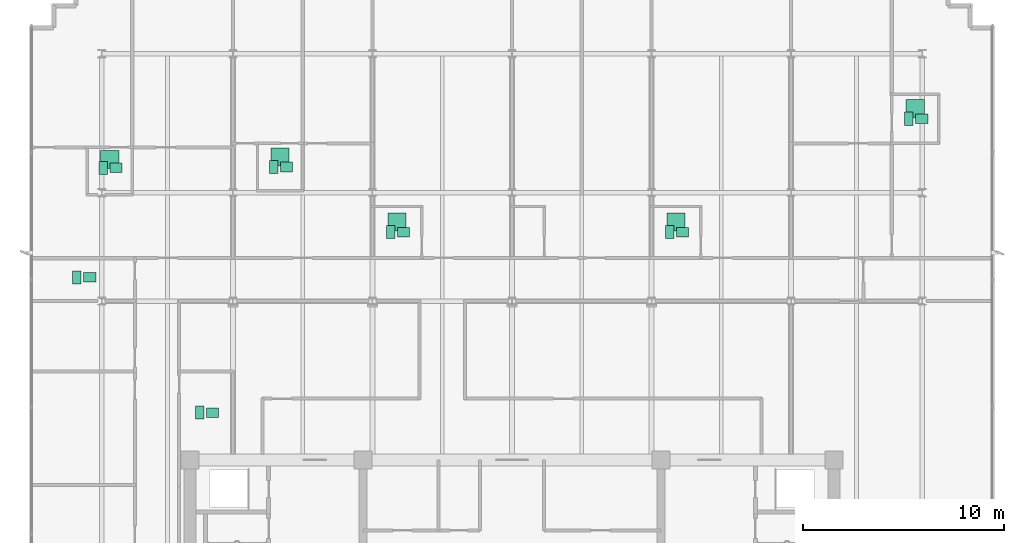
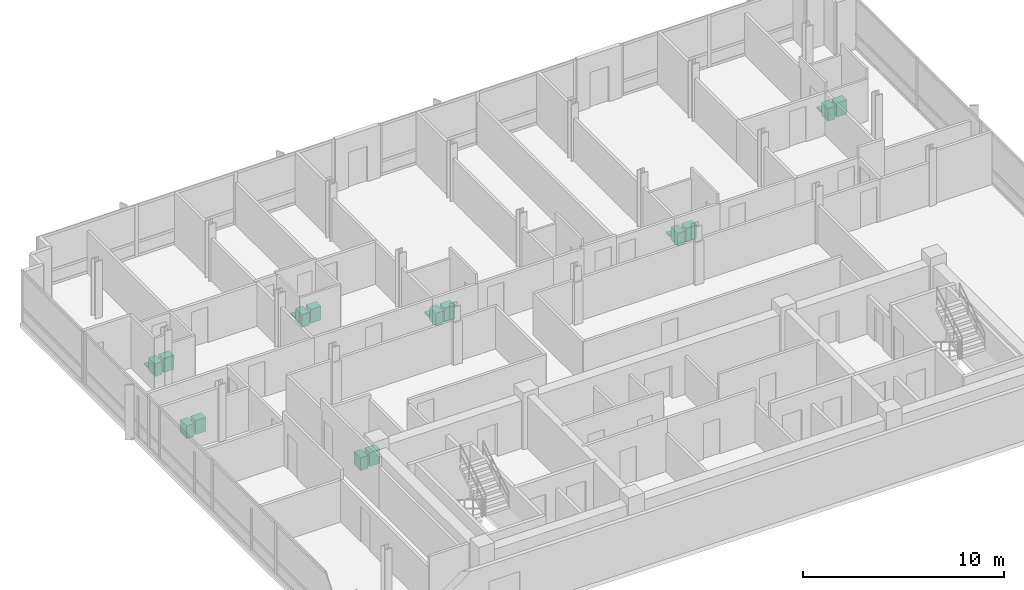
# One storey, part 14 of 14: 19 sanitary terminals.
"""IFC4 building model written with IfcOpenShell, lengths in metres."""

import ifcopenshell
import ifcopenshell.guid

model = None  # the IFC model being written
_history = None  # IfcOwnerHistory: only IFC2X3 demands one
_inside = {}  # id of a spatial element -> (the spatial element, [elements in it])
_under = {}  # id of a project, library or spatial element -> (it, [spatial elements below it])
_declared = {}  # id of a project -> (the project, [libraries it declares])
_typed = {}  # id of a type object -> (the type object, [elements of that type])
_made_of = {}  # id of a material, layer set ... -> (it, [elements and type objects made of it])


def new_model(schema):
    """Start an empty IFC model of exactly this schema.

    Asked for "IFC4X3", IfcOpenShell would pick the latest addendum, in which some entities
    have other attributes; the version numbers below select the first issue.
    IFC2X3 requires an IfcOwnerHistory on every rooted entity: one is made here for all.
    """
    global model, _history
    if schema == "IFC4X3":
        model = ifcopenshell.file(schema_version=(4, 3, 0, 0))
    else:
        model = ifcopenshell.file(schema=schema)
    _inside.clear()
    _under.clear()
    _declared.clear()
    _typed.clear()
    _made_of.clear()
    _history = None
    if model.schema == "IFC2X3":
        org = make("IfcOrganization", Name="unknown")
        user = make(
            "IfcPersonAndOrganization",
            ThePerson=make("IfcPerson", FamilyName="unknown"),
            TheOrganization=org,
        )
        app = make(
            "IfcApplication",
            ApplicationDeveloper=org,
            Version="unknown",
            ApplicationFullName="unknown",
            ApplicationIdentifier="unknown",
        )
        _history = make(
            "IfcOwnerHistory",
            OwningUser=user,
            OwningApplication=app,
            ChangeAction="ADDED",
            CreationDate=0,
        )
    return model


def make(cls, **values):
    """One entity of the class cls with the attributes given. An attribute that is None is left unset."""
    return model.create_entity(
        cls, **{name: value for name, value in values.items() if value is not None}
    )


def rooted(cls, **values):
    """An entity with a GlobalId (a new one), such as an element, a storey or a relation."""
    return make(cls, GlobalId=ifcopenshell.guid.new(), OwnerHistory=_history, **values)


def si_unit(unit_type, name, prefix=None):
    """IfcSIUnit, for example si_unit("LENGTHUNIT", "METRE", prefix="MILLI")."""
    return make("IfcSIUnit", UnitType=unit_type, Prefix=prefix, Name=name)


def assignment(units):
    """IfcUnitAssignment: the units of a project."""
    return None if units is None else make("IfcUnitAssignment", Units=units)


def point(xyz):
    """IfcCartesianPoint."""
    return None if xyz is None else make("IfcCartesianPoint", Coordinates=xyz)


def direction(xyz):
    """IfcDirection."""
    return None if xyz is None else make("IfcDirection", DirectionRatios=xyz)


def frame(location, z_axis=None, x_axis=None):
    """IfcAxis2Placement3D, a coordinate frame: its origin and axes. An axis left out is left unset."""
    return make(
        "IfcAxis2Placement3D",
        Location=point(location),
        Axis=direction(z_axis),
        RefDirection=direction(x_axis),
    )


def frame_2d(location, x_axis=None):
    """IfcAxis2Placement2D, a coordinate frame in the plane: its origin and x axis."""
    return make(
        "IfcAxis2Placement2D", Location=point(location), RefDirection=direction(x_axis)
    )


def origin():
    """The frame at (0, 0, 0) with its axes left unset."""
    return frame((0.0, 0.0, 0.0))


def origin_2d():
    """The frame at (0, 0) in the plane with its x axis left unset."""
    return frame_2d((0.0, 0.0))


def place(relative_to, where):
    """IfcLocalPlacement: puts the frame where relative to a parent placement (None: the world)."""
    return make(
        "IfcLocalPlacement", PlacementRelTo=relative_to, RelativePlacement=where
    )


def context(
    kind, dimensions, precision=None, world=None, true_north=None, identifier=None
):
    """IfcGeometricRepresentationContext, for example the 3D "Model" context."""
    return make(
        "IfcGeometricRepresentationContext",
        ContextIdentifier=identifier,
        ContextType=kind,
        CoordinateSpaceDimension=dimensions,
        Precision=precision,
        WorldCoordinateSystem=world,
        TrueNorth=true_north,
    )


def subcontext(parent, identifier, kind, view, scale=None):
    """IfcGeometricRepresentationSubContext, for example "Body" below "Model"."""
    return make(
        "IfcGeometricRepresentationSubContext",
        ContextIdentifier=identifier,
        ContextType=kind,
        ParentContext=parent,
        TargetScale=scale,
        TargetView=view,
    )


def project(units=None, contexts=None):
    """IfcProject with its units and contexts."""
    return rooted(
        "IfcProject",
        Name="project",
        RepresentationContexts=contexts,
        UnitsInContext=assignment(units),
    )


def spatial(cls, under=None, at=None, **own):
    """A site, building, storey or space (cls), placed at a placement, below another one or the project."""
    s = rooted(cls, ObjectPlacement=at, **own)
    if under is not None:
        _under.setdefault(under.id(), (under, []))[1].append(s)
    return s


def profile(cls, at=None, kind="AREA", **sizes):
    """A parametric profile (cls). Its sizes go by their IFC names, for example OverallWidth=200.0."""
    return make(cls, ProfileType=kind, Position=at, **sizes)


def rectangle(**sizes):
    """IfcRectangleProfileDef."""
    return profile("IfcRectangleProfileDef", **sizes)


def extrude(swept, where, along, depth):
    """IfcExtrudedAreaSolid: the profile swept, set in the frame where, extruded along a direction by depth."""
    return make(
        "IfcExtrudedAreaSolid",
        SweptArea=swept,
        Position=where,
        ExtrudedDirection=direction(along),
        Depth=depth,
    )


def shape(context_of_items, identifier, shape_type, items):
    """IfcShapeRepresentation: the items that make up one representation, for example the "Body"."""
    return make(
        "IfcShapeRepresentation",
        ContextOfItems=context_of_items,
        RepresentationIdentifier=identifier,
        RepresentationType=shape_type,
        Items=items,
    )


def material(Name=None, Category=None):
    """IfcMaterial."""
    return make("IfcMaterial", Name=Name, Category=Category)


def made_of(thing, what):
    """Note that an element or type object is made of a material, layer set ...; save() writes the relation."""
    if what is not None:
        _made_of.setdefault(what.id(), (what, []))[1].append(thing)
    return thing


def type_object(cls, material=None, **own):
    """A type object (cls), such as IfcWallType, which elements share."""
    return made_of(rooted(cls, **own), material)


def element(
    cls,
    number,
    at=None,
    inside=None,
    cuts=None,
    type_object=None,
    material=None,
    context=None,
    identifier="Body",
    shape_type=None,
    held_by="IfcProductDefinitionShape",
    body=None,
    shapes=None,
    **own,
):
    """One element of the class cls, such as IfcWall. Its Tag is "e" and its number.

    at: its placement. inside: the storey or other place that contains it. cuts: it is an
    opening in that element (IfcRelVoidsElement). A single representation is given by context,
    identifier, shape_type and body (its items); several are given by shapes. held_by: the class
    of the entity that holds the representations. save() writes the other relations.
    """
    e = rooted(cls, Tag="e%d" % number, ObjectPlacement=at, **own)
    if body is not None:
        shapes = [shape(context, identifier, shape_type, body)]
    if shapes is not None:
        e.Representation = make(held_by, Representations=shapes)
    if inside is not None:
        _inside.setdefault(inside.id(), (inside, []))[1].append(e)
    if cuts is not None:
        rooted(
            "IfcRelVoidsElement", RelatingBuildingElement=cuts, RelatedOpeningElement=e
        )
    if type_object is not None:
        _typed.setdefault(type_object.id(), (type_object, []))[1].append(e)
    return made_of(e, material)


def aggregate(whole, parts):
    """IfcRelAggregates: a whole, such as a stair, and the parts it consists of."""
    return rooted("IfcRelAggregates", RelatingObject=whole, RelatedObjects=parts)


def save(model, path):
    """Write the relations noted so far, then the file.

    IfcRelAggregates (storeys below a building ...), IfcRelContainedInSpatialStructure (elements
    in a storey), IfcRelDefinesByType, IfcRelAssociatesMaterial and IfcRelDeclares: one each for
    every whole, place, type object, material and project.
    """
    for whole, parts in _under.values():
        aggregate(whole, parts)
    for where, things in _inside.values():
        rooted(
            "IfcRelContainedInSpatialStructure",
            RelatedElements=things,
            RelatingStructure=where,
        )
    for kind, things in _typed.values():
        rooted("IfcRelDefinesByType", RelatedObjects=things, RelatingType=kind)
    for what, things in _made_of.values():
        rooted("IfcRelAssociatesMaterial", RelatedObjects=things, RelatingMaterial=what)
    for by, libraries in _declared.values():
        rooted("IfcRelDeclares", RelatingContext=by, RelatedDefinitions=libraries)
    model.write(path)


model = new_model("IFC4")

# Units and contexts
model_context = context("Model", 3, precision=1e-05, world=origin(), true_north=direction((0.0, 1.0)))
body_context = subcontext(model_context, "Body", "Model", "MODEL_VIEW")
ifc_project = project(units=[si_unit("LENGTHUNIT", "METRE"), si_unit("AREAUNIT", "SQUARE_METRE"), si_unit("VOLUMEUNIT", "CUBIC_METRE"), si_unit("PLANEANGLEUNIT", "RADIAN"), si_unit("MASSUNIT", "GRAM", prefix="KILO")], contexts=[model_context])

# Site, building, storey
site_placement = place(None, origin())
site = spatial("IfcSite", under=ifc_project, at=site_placement, CompositionType="ELEMENT")
building_placement = place(site_placement, origin())
building = spatial("IfcBuilding", under=site, at=building_placement, Name="Solmavex Isthmus Hotel", CompositionType="ELEMENT")
storey_placement = place(building_placement, frame((0.0, 0.0, 252.300048828125)))
storey = spatial("IfcBuildingStorey", under=building, at=storey_placement, Name="L68", CompositionType="ELEMENT", Elevation=252.300048828125)

# Sanitary terminals
ifc_material = material(Name="Vitreous china ceramic", Category="ceramic")
sanitary_terminal_type_1 = type_object("IfcSanitaryTerminalType", Name="SAN-BASIN", PredefinedType="WASHHANDBASIN", material=ifc_material)
for number, where, z_axis, x_axis, name in (
    (1, (-19.680908203125, 12.025390625, 0.0), (0.0, 0.0, 1.0), (1.0, 0.0, 0.0), "Vanity Washbasin L68-340"),
    (2, (-11.208984375, 12.06298828125, 0.0), (0.0, 0.0, 1.0), (1.0, 0.0, 0.0), "Vanity Washbasin L68-341"),
    (3, (-5.39111328125, 8.824951171875, 0.0), (0.0, 0.0, 1.0), (1.0, 0.0, 0.0), "Vanity Washbasin L68-342"),
    (4, (8.48095703125, 8.824951171875, 0.0), (0.0, 0.0, 1.0), (1.0, 0.0, 0.0), "Vanity Washbasin L68-343"),
    (5, (20.37109375, 14.462890625, 0.0), (0.0, 0.0, 1.0), (1.0, 0.0, 0.0), "Vanity Washbasin L68-344"),
    (6, (-20.9951171875, 6.577392578125, 0.0), (0.0, 0.0, 1.0), (1.0, 0.0, 0.0), "Vanity Washbasin L68-345"),
    (7, (-14.89111328125, -0.14990234375, 0.0), (0.0, 0.0, 1.0), (1.0, 0.0, 0.0), "Vanity Washbasin L68-346"),
):
    element("IfcSanitaryTerminal", number, at=place(storey_placement, frame(where, z_axis=z_axis, x_axis=x_axis)), inside=storey, type_object=sanitary_terminal_type_1, Name=name, PredefinedType="WASHHANDBASIN", context=body_context, shape_type="SweptSolid", body=[
        extrude(rectangle(XDim=0.60009765625, YDim=0.47998046875, at=origin_2d()), origin(), (0.0, 0.0, 1.0), 0.85009765625),
    ])
sanitary_terminal_type_2 = type_object("IfcSanitaryTerminalType", Name="SAN-SHOWER", PredefinedType="SHOWER", material=ifc_material)
for number, where, z_axis, x_axis, name in (
    (8, (-20.0009765625, 12.443115234375, 0.0), (0.0, 0.0, 1.0), (1.0, 0.0, 0.0), "Walk-In Shower L68-340"),
    (9, (-11.529052734375, 12.56298828125, 0.0), (0.0, 0.0, 1.0), (1.0, 0.0, 0.0), "Walk-In Shower L68-341"),
    (10, (-5.7109375, 9.324951171875, 0.0), (0.0, 0.0, 1.0), (1.0, 0.0, 0.0), "Walk-In Shower L68-342"),
    (11, (8.160888671875, 9.324951171875, 0.0), (0.0, 0.0, 1.0), (1.0, 0.0, 0.0), "Walk-In Shower L68-343"),
    (12, (20.051025390625, 14.962890625, 0.0), (0.0, 0.0, 1.0), (1.0, 0.0, 0.0), "Walk-In Shower L68-344"),
):
    element("IfcSanitaryTerminal", number, at=place(storey_placement, frame(where, z_axis=z_axis, x_axis=x_axis)), inside=storey, type_object=sanitary_terminal_type_2, Name=name, PredefinedType="SHOWER", context=body_context, shape_type="SweptSolid", body=[
        extrude(rectangle(XDim=0.89990234375, YDim=0.89990234375, at=origin_2d()), origin(), (0.0, 0.0, 1.0), 0.080078125),
    ])
sanitary_terminal_type_3 = type_object("IfcSanitaryTerminalType", Name="SAN-WC-SUITE", PredefinedType="TOILETPAN", material=ifc_material)
for number, where, z_axis, x_axis, name in (
    (13, (-20.321044921875, 12.025390625, 0.0), (0.0, 0.0, 1.0), (1.0, 0.0, 0.0), "Water Closet L68-340"),
    (14, (-11.84912109375, 12.06298828125, 0.0), (0.0, 0.0, 1.0), (1.0, 0.0, 0.0), "Water Closet L68-341"),
    (15, (-6.031005859375, 8.824951171875, 0.0), (0.0, 0.0, 1.0), (1.0, 0.0, 0.0), "Water Closet L68-342"),
    (16, (7.841064453125, 8.824951171875, 0.0), (0.0, 0.0, 1.0), (1.0, 0.0, 0.0), "Water Closet L68-343"),
    (17, (19.73095703125, 14.462890625, 0.0), (0.0, 0.0, 1.0), (1.0, 0.0, 0.0), "Water Closet L68-344"),
    (18, (-21.635009765625, 6.577392578125, 0.0), (0.0, 0.0, 1.0), (1.0, 0.0, 0.0), "Water Closet L68-345"),
    (19, (-15.531005859375, -0.14990234375, 0.0), (0.0, 0.0, 1.0), (1.0, 0.0, 0.0), "Water Closet L68-346"),
):
    element("IfcSanitaryTerminal", number, at=place(storey_placement, frame(where, z_axis=z_axis, x_axis=x_axis)), inside=storey, type_object=sanitary_terminal_type_3, Name=name, PredefinedType="TOILETPAN", context=body_context, shape_type="SweptSolid", body=[
        extrude(rectangle(XDim=0.419921875, YDim=0.64990234375, at=origin_2d()), origin(), (0.0, 0.0, 1.0), 0.780029296875),
    ])

save(model, "model.ifc")
